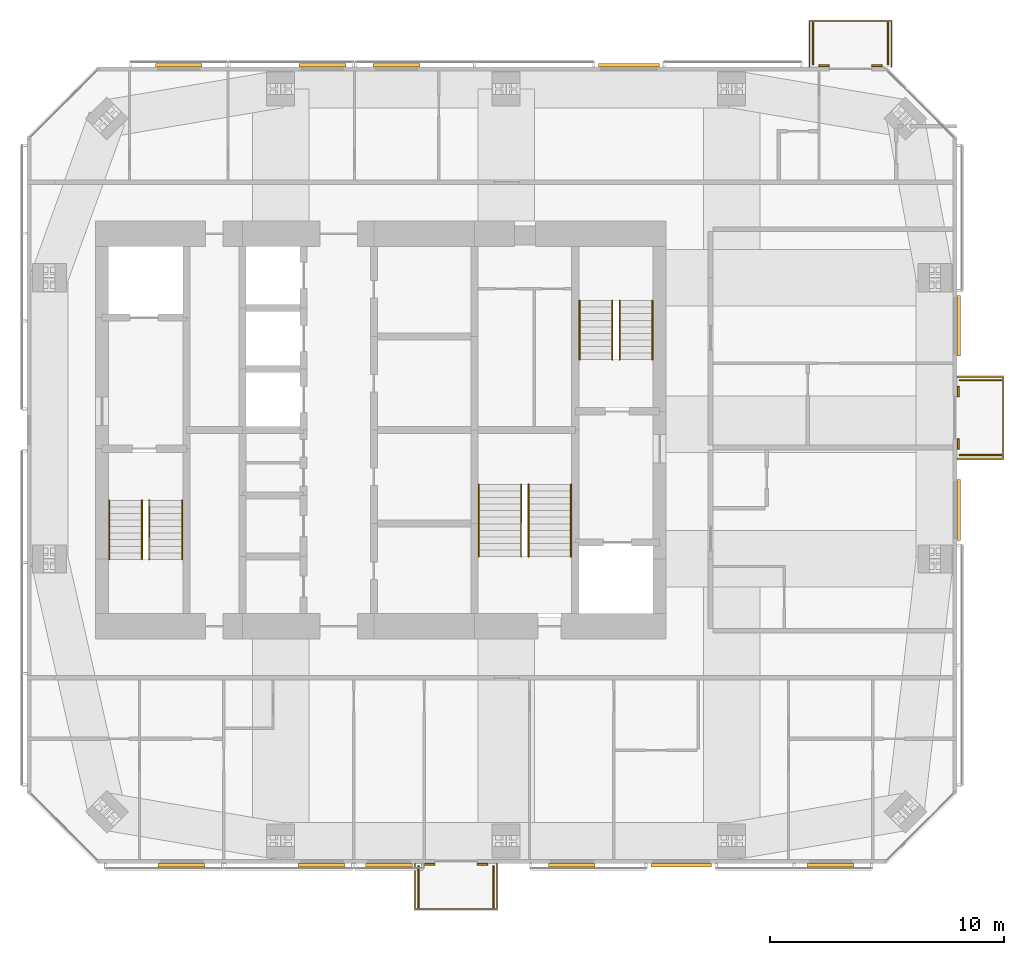
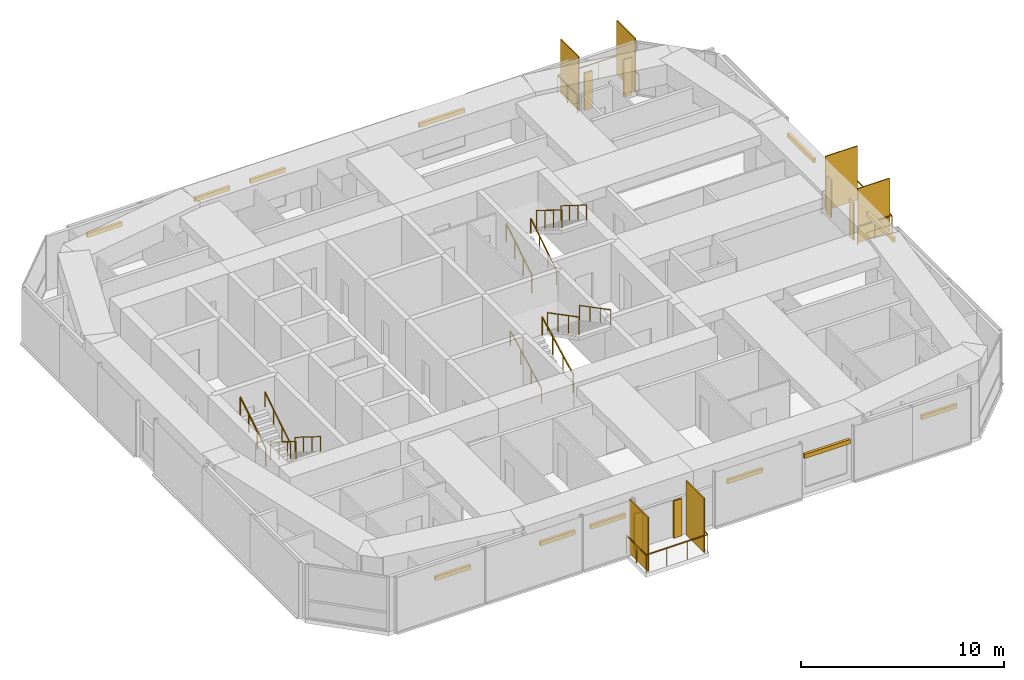
# One storey, part 18 of 18: 24 shading devices, 15 railings.
"""IFC4 building model written with IfcOpenShell, lengths in metres."""

from ifc_helpers import new_model, si_unit, direction, frame, origin, origin_2d, place, context, subcontext, project, spatial, rectangle, circle, extrude, material, layer, layer_set, constituent, constituent_set, type_object, element, save


model = new_model("IFC4")

# Units and contexts
model_context = context("Model", 3, precision=1e-05, world=origin(), true_north=direction((0.0, 1.0)))
body_context = subcontext(model_context, "Body", "Model", "MODEL_VIEW")
ifc_project = project(units=[si_unit("LENGTHUNIT", "METRE"), si_unit("AREAUNIT", "SQUARE_METRE"), si_unit("VOLUMEUNIT", "CUBIC_METRE"), si_unit("PLANEANGLEUNIT", "RADIAN"), si_unit("MASSUNIT", "GRAM", prefix="KILO")], contexts=[model_context])

# Site, building, storey
site_placement = place(None, origin())
site = spatial("IfcSite", under=ifc_project, at=site_placement, CompositionType="ELEMENT")
building_placement = place(site_placement, origin())
building = spatial("IfcBuilding", under=site, at=building_placement, Name="Jalousie Tower", CompositionType="ELEMENT")
storey_placement = place(building_placement, frame((0.0, 0.0, 249.449951171875)))
storey = spatial("IfcBuildingStorey", under=building, at=storey_placement, Name="L68", CompositionType="ELEMENT", Elevation=249.449951171875)

# Shading devices
ifc_material_1 = material(Name="Aluminium impact-rated louvred storm shutter", Category="aluminium")
shading_device_type_1 = type_object("IfcShadingDeviceType", Name="BI-FOLD STORM SHUTTER 900x2250", PredefinedType="SHUTTER", material=ifc_material_1)
for number, where, z_axis, x_axis, name in (
    (1, (33.985107421875, -0.0400390625, 0.0), (0.0, 0.0, 1.0), (1.0, 0.0, 0.0), "Balcony storm shutter L68"),
    (2, (36.235107421875, -0.0400390625, 0.0), (0.0, 0.0, 1.0), (1.0, 0.0, 0.0), "Balcony storm shutter L68"),
    (3, (56.5400390625, 17.89990234375, 0.0), (0.0, 0.0, 1.0), (0.0, 1.0, 0.0), "Balcony storm shutter L68"),
    (4, (56.5400390625, 20.14990234375, 0.0), (0.0, 0.0, 1.0), (0.0, 1.0, 0.0), "Balcony storm shutter L68"),
    (5, (53.07373046875, 34.0400390625, 0.0), (0.0, 0.0, 1.0), (-1.0, 0.0, 0.0), "Balcony storm shutter L68"),
    (6, (50.82373046875, 34.0400390625, 0.0), (0.0, 0.0, 1.0), (-1.0, 0.0, 0.0), "Balcony storm shutter L68"),
):
    element("IfcShadingDevice", number, at=place(storey_placement, frame(where, z_axis=z_axis, x_axis=x_axis)), inside=storey, type_object=shading_device_type_1, Name=name, PredefinedType="SHUTTER", context=body_context, shape_type="SweptSolid", body=[
        extrude(rectangle(XDim=0.449951171875, YDim=0.080078125, at=origin_2d()), origin(), (0.0, 0.0, 1.0), 2.25),
    ])

# Railings
ifc_material_2 = material(Name="Powder-coated aluminium fretwork", Category="aluminium")
railing_type_1 = type_object("IfcRailingType", Name="FRETWORK BALUSTRADE 1100", PredefinedType="BALUSTRADE", material=ifc_material_2)
railing_1_placement = place(storey_placement, frame((33.360107421875, 0.0, 0.0)))
element("IfcRailing", 7, at=railing_1_placement, inside=storey, type_object=railing_type_1, Name="Balcony fretwork balustrade L68", PredefinedType="BALUSTRADE", context=body_context, shape_type="SweptSolid", body=[
    extrude(rectangle(XDim=0.048095703125, YDim=0.048095703125, at=origin_2d()), frame((0.0, 0.0, 1.076171875), z_axis=(0.0, -1.0, 0.0), x_axis=(1.0, 0.0, 0.0)), (0.0, 0.0, 1.0), 1.949951171875),
    extrude(rectangle(XDim=0.048095703125, YDim=0.048095703125, at=origin_2d()), frame((0.0, -1.949951171875, 1.076171875), z_axis=(1.0, 0.0, 0.0), x_axis=(0.0, 1.0, 0.0)), (0.0, 0.0, 1.0), 3.5),
    extrude(rectangle(XDim=0.048095703125, YDim=0.048095703125, at=origin_2d()), frame((3.5, -1.949951171875, 1.076171875), z_axis=(0.0, 1.0, 0.0), x_axis=(-1.0, 0.0, 0.0)), (0.0, 0.0, 1.0), 1.949951171875),
    extrude(circle(Radius=0.02099609375, at=origin_2d()), origin(), (0.0, 0.0, 1.0), 1.052001953125),
    extrude(circle(Radius=0.02099609375, at=origin_2d()), frame((0.0, -0.97509765625, 0.0)), (0.0, 0.0, 1.0), 1.052001953125),
    extrude(circle(Radius=0.02099609375, at=origin_2d()), frame((0.0, -1.949951171875, 0.0)), (0.0, 0.0, 1.0), 1.052001953125),
    extrude(circle(Radius=0.02099609375, at=origin_2d()), frame((1.166748046875, -1.949951171875, 0.0)), (0.0, 0.0, 1.0), 1.052001953125),
    extrude(circle(Radius=0.02099609375, at=origin_2d()), frame((2.333251953125, -1.949951171875, 0.0)), (0.0, 0.0, 1.0), 1.052001953125),
    extrude(circle(Radius=0.02099609375, at=origin_2d()), frame((3.5, -1.949951171875, 0.0)), (0.0, 0.0, 1.0), 1.052001953125),
    extrude(circle(Radius=0.02099609375, at=origin_2d()), frame((3.5, -0.97509765625, 0.0)), (0.0, 0.0, 1.0), 1.052001953125),
    extrude(circle(Radius=0.02099609375, at=origin_2d()), frame((3.5, 0.0, 0.0)), (0.0, 0.0, 1.0), 1.052001953125),
])
railing_2_placement = place(storey_placement, frame((56.5, 17.27490234375, 0.0)))
element("IfcRailing", 8, at=railing_2_placement, inside=storey, type_object=railing_type_1, Name="Balcony fretwork balustrade L68", PredefinedType="BALUSTRADE", context=body_context, shape_type="SweptSolid", body=[
    extrude(rectangle(XDim=0.048095703125, YDim=0.048095703125, at=origin_2d()), frame((0.0, 0.0, 1.076171875), z_axis=(1.0, 0.0, 0.0), x_axis=(0.0, 1.0, 0.0)), (0.0, 0.0, 1.0), 1.949951171875),
    extrude(rectangle(XDim=0.048095703125, YDim=0.048095703125, at=origin_2d()), frame((1.949951171875, 0.0, 1.076171875), z_axis=(0.0, 1.0, 0.0), x_axis=(-1.0, 0.0, 0.0)), (0.0, 0.0, 1.0), 3.5),
    extrude(rectangle(XDim=0.048095703125, YDim=0.048095703125, at=origin_2d()), frame((1.949951171875, 3.5, 1.076171875), z_axis=(-1.0, 0.0, 0.0), x_axis=(0.0, -1.0, 0.0)), (0.0, 0.0, 1.0), 1.949951171875),
    extrude(circle(Radius=0.02099609375, at=origin_2d()), origin(), (0.0, 0.0, 1.0), 1.052001953125),
    extrude(circle(Radius=0.02099609375, at=origin_2d()), frame((0.97509765625, 0.0, 0.0)), (0.0, 0.0, 1.0), 1.052001953125),
    extrude(circle(Radius=0.02099609375, at=origin_2d()), frame((1.949951171875, 0.0, 0.0)), (0.0, 0.0, 1.0), 1.052001953125),
    extrude(circle(Radius=0.02099609375, at=origin_2d()), frame((1.949951171875, 1.166748046875, 0.0)), (0.0, 0.0, 1.0), 1.052001953125),
    extrude(circle(Radius=0.02099609375, at=origin_2d()), frame((1.949951171875, 2.333251953125, 0.0)), (0.0, 0.0, 1.0), 1.052001953125),
    extrude(circle(Radius=0.02099609375, at=origin_2d()), frame((1.949951171875, 3.5, 0.0)), (0.0, 0.0, 1.0), 1.052001953125),
    extrude(circle(Radius=0.02099609375, at=origin_2d()), frame((0.97509765625, 3.5, 0.0)), (0.0, 0.0, 1.0), 1.052001953125),
    extrude(circle(Radius=0.02099609375, at=origin_2d()), frame((0.0, 3.5, 0.0)), (0.0, 0.0, 1.0), 1.052001953125),
])
railing_3_placement = place(storey_placement, frame((53.69873046875, 34.0, 0.0)))
element("IfcRailing", 9, at=railing_3_placement, inside=storey, type_object=railing_type_1, Name="Balcony fretwork balustrade L68", PredefinedType="BALUSTRADE", context=body_context, shape_type="SweptSolid", body=[
    extrude(rectangle(XDim=0.048095703125, YDim=0.048095703125, at=origin_2d()), frame((0.0, 0.0, 1.076171875), z_axis=(0.0, 1.0, 0.0), x_axis=(-1.0, 0.0, 0.0)), (0.0, 0.0, 1.0), 1.949951171875),
    extrude(rectangle(XDim=0.048095703125, YDim=0.048095703125, at=origin_2d()), frame((0.0, 1.949951171875, 1.076171875), z_axis=(-1.0, 0.0, 0.0), x_axis=(0.0, -1.0, 0.0)), (0.0, 0.0, 1.0), 3.5),
    extrude(rectangle(XDim=0.048095703125, YDim=0.048095703125, at=origin_2d()), frame((-3.5, 1.949951171875, 1.076171875), z_axis=(0.0, -1.0, 0.0), x_axis=(1.0, 0.0, 0.0)), (0.0, 0.0, 1.0), 1.949951171875),
    extrude(circle(Radius=0.02099609375, at=origin_2d()), origin(), (0.0, 0.0, 1.0), 1.052001953125),
    extrude(circle(Radius=0.02099609375, at=origin_2d()), frame((0.0, 0.97509765625, 0.0)), (0.0, 0.0, 1.0), 1.052001953125),
    extrude(circle(Radius=0.02099609375, at=origin_2d()), frame((0.0, 1.949951171875, 0.0)), (0.0, 0.0, 1.0), 1.052001953125),
    extrude(circle(Radius=0.02099609375, at=origin_2d()), frame((-1.166748046875, 1.949951171875, 0.0)), (0.0, 0.0, 1.0), 1.052001953125),
    extrude(circle(Radius=0.02099609375, at=origin_2d()), frame((-2.333251953125, 1.949951171875, 0.0)), (0.0, 0.0, 1.0), 1.052001953125),
    extrude(circle(Radius=0.02099609375, at=origin_2d()), frame((-3.5, 1.949951171875, 0.0)), (0.0, 0.0, 1.0), 1.052001953125),
    extrude(circle(Radius=0.02099609375, at=origin_2d()), frame((-3.5, 0.97509765625, 0.0)), (0.0, 0.0, 1.0), 1.052001953125),
    extrude(circle(Radius=0.02099609375, at=origin_2d()), frame((-3.5, 0.0, 0.0)), (0.0, 0.0, 1.0), 1.052001953125),
])

# Shading devices
ifc_material_3 = material(Name="Powder-coated aluminium louvres", Category="aluminium")
ifc_layer = layer(ifc_material_3, 0.06005859375)
ifc_layer_set = layer_set([ifc_layer], Name="Powder-coated aluminium louvres")
shading_device_type_2 = type_object("IfcShadingDeviceType", Name="JALOUSIE LOUVRE SCREEN", PredefinedType="JALOUSIE", material=ifc_layer_set)
for number, where, z_axis, x_axis, name in (
    (10, (33.510009765625, -1.0, 0.0), (0.0, 0.0, 1.0), (1.0, 0.0, 0.0), "Jalousie louvre screen L68"),
    (11, (36.7099609375, -1.0, 0.0), (0.0, 0.0, 1.0), (1.0, 0.0, 0.0), "Jalousie louvre screen L68"),
    (12, (57.5, 17.425048828125, 0.0), (0.0, 0.0, 1.0), (0.0, 1.0, 0.0), "Jalousie louvre screen L68"),
    (13, (57.5, 20.625, 0.0), (0.0, 0.0, 1.0), (0.0, 1.0, 0.0), "Jalousie louvre screen L68"),
    (14, (53.548583984375, 35.0, 0.0), (0.0, 0.0, 1.0), (-1.0, 0.0, 0.0), "Jalousie louvre screen L68"),
    (15, (50.3486328125, 35.0, 0.0), (0.0, 0.0, 1.0), (-1.0, 0.0, 0.0), "Jalousie louvre screen L68"),
):
    element("IfcShadingDevice", number, at=place(storey_placement, frame(where, z_axis=z_axis, x_axis=x_axis)), inside=storey, type_object=shading_device_type_2, Name=name, PredefinedType="JALOUSIE", context=body_context, shape_type="SweptSolid", body=[
        extrude(rectangle(XDim=0.06005859375, YDim=1.800048828125, at=origin_2d()), origin(), (0.0, 0.0, 1.0), 3.260009765625),
    ])

# Railings
ifc_material_4 = material(Name="Steel ASTM A500 Grade C", Category="steel")
ifc_constituent_1 = constituent(ifc_material_4, Name="Body")
ifc_material_5 = material(Name="Hot-dip galvanised zinc coating")
ifc_constituent_2 = constituent(ifc_material_5, Name="Finish")
ifc_constituent_set_1 = constituent_set(constituents=[ifc_constituent_1, ifc_constituent_2])
railing_type_2 = type_object("IfcRailingType", Name="STAIR GUARD 1100", PredefinedType="GUARDRAIL", material=ifc_constituent_set_1)
railing_4_placement = place(storey_placement, frame((22.017578125, 15.49755859375, 0.175048828125)))
element("IfcRailing", 16, at=railing_4_placement, inside=storey, type_object=railing_type_2, Name="Exit stair A guard L68 flight 1", PredefinedType="GUARDRAIL", context=body_context, shape_type="SweptSolid", body=[
    extrude(rectangle(XDim=0.048095703125, YDim=0.048095703125, at=origin_2d()), frame((0.0, 0.0, 1.076171875), z_axis=(0.0, -0.848007534815, 0.529984170421), x_axis=(1.0, 0.0, 0.0)), (0.0, 0.0, 1.0), 2.9716796875),
    extrude(circle(Radius=0.02099609375, at=origin_2d()), origin(), (0.0, 0.0, 1.0), 1.052001953125),
    extrude(circle(Radius=0.02099609375, at=origin_2d()), frame((0.0, -0.840087890625, 0.52490234375)), (0.0, 0.0, 1.0), 1.052001953125),
    extrude(circle(Radius=0.02099609375, at=origin_2d()), frame((0.0, -1.679931640625, 1.050048828125)), (0.0, 0.0, 1.0), 1.052001953125),
    extrude(circle(Radius=0.02099609375, at=origin_2d()), frame((0.0, -2.52001953125, 1.574951171875)), (0.0, 0.0, 1.0), 1.052001953125),
])
for number, where, name in (
    (17, (20.304931640625, 12.9775390625, 1.925048828125), "Exit stair A guard L68 flight 2"),
    (18, (40.3798828125, 21.50244140625, 0.175048828125), "Exit stair B guard L68 flight 1"),
):
    element("IfcRailing", number, at=place(storey_placement, frame(where)), inside=storey, type_object=railing_type_2, Name=name, PredefinedType="GUARDRAIL", context=body_context, shape_type="SweptSolid", body=[
        extrude(rectangle(XDim=0.048095703125, YDim=0.048095703125, at=origin_2d()), frame((0.0, 0.0, 1.076171875), z_axis=(0.0, 0.848007534815, 0.529984170421), x_axis=(-1.0, 0.0, 0.0)), (0.0, 0.0, 1.0), 2.9716796875),
        extrude(circle(Radius=0.02099609375, at=origin_2d()), origin(), (0.0, 0.0, 1.0), 1.052001953125),
        extrude(circle(Radius=0.02099609375, at=origin_2d()), frame((0.0, 0.840087890625, 0.52490234375)), (0.0, 0.0, 1.0), 1.052001953125),
        extrude(circle(Radius=0.02099609375, at=origin_2d()), frame((0.0, 1.679931640625, 1.050048828125)), (0.0, 0.0, 1.0), 1.052001953125),
        extrude(circle(Radius=0.02099609375, at=origin_2d()), frame((0.0, 2.52001953125, 1.574951171875)), (0.0, 0.0, 1.0), 1.052001953125),
    ])
railing_5_placement = place(storey_placement, frame((42.092529296875, 24.0224609375, 1.925048828125)))
element("IfcRailing", 19, at=railing_5_placement, inside=storey, type_object=railing_type_2, Name="Exit stair B guard L68 flight 2", PredefinedType="GUARDRAIL", context=body_context, shape_type="SweptSolid", body=[
    extrude(rectangle(XDim=0.048095703125, YDim=0.048095703125, at=origin_2d()), frame((0.0, 0.0, 1.076171875), z_axis=(0.0, -0.848007534815, 0.529984170421), x_axis=(1.0, 0.0, 0.0)), (0.0, 0.0, 1.0), 2.9716796875),
    extrude(circle(Radius=0.02099609375, at=origin_2d()), origin(), (0.0, 0.0, 1.0), 1.052001953125),
    extrude(circle(Radius=0.02099609375, at=origin_2d()), frame((0.0, -0.840087890625, 0.52490234375)), (0.0, 0.0, 1.0), 1.052001953125),
    extrude(circle(Radius=0.02099609375, at=origin_2d()), frame((0.0, -1.679931640625, 1.050048828125)), (0.0, 0.0, 1.0), 1.052001953125),
    extrude(circle(Radius=0.02099609375, at=origin_2d()), frame((0.0, -2.52001953125, 1.574951171875)), (0.0, 0.0, 1.0), 1.052001953125),
])
railing_6_placement = place(storey_placement, frame((37.89501953125, 13.097412109375, 0.145751953125)))
element("IfcRailing", 20, at=railing_6_placement, inside=storey, type_object=railing_type_2, Name="Exit stair C guard L68 flight 1", PredefinedType="GUARDRAIL", context=body_context, shape_type="SweptSolid", body=[
    extrude(rectangle(XDim=0.048095703125, YDim=0.048095703125, at=origin_2d()), frame((0.0, 0.0, 1.076171875), z_axis=(0.0, 0.886909283822, 0.461943635383), x_axis=(-1.0, 0.0, 0.0)), (0.0, 0.0, 1.0), 3.472900390625),
    extrude(circle(Radius=0.02099609375, at=origin_2d()), origin(), (0.0, 0.0, 1.0), 1.052001953125),
    extrude(circle(Radius=0.02099609375, at=origin_2d()), frame((0.0, 1.026611328125, 0.53466796875)), (0.0, 0.0, 1.0), 1.052001953125),
    extrude(circle(Radius=0.02099609375, at=origin_2d()), frame((0.0, 2.053466796875, 1.069580078125)), (0.0, 0.0, 1.0), 1.052001953125),
    extrude(circle(Radius=0.02099609375, at=origin_2d()), frame((0.0, 3.080078125, 1.604248046875)), (0.0, 0.0, 1.0), 1.052001953125),
])
railing_7_placement = place(storey_placement, frame((38.205078125, 16.177490234375, 1.895751953125)))
element("IfcRailing", 21, at=railing_7_placement, inside=storey, type_object=railing_type_2, Name="Exit stair C guard L68 flight 2", PredefinedType="GUARDRAIL", context=body_context, shape_type="SweptSolid", body=[
    extrude(rectangle(XDim=0.048095703125, YDim=0.048095703125, at=origin_2d()), frame((0.0, 0.0, 1.076171875), z_axis=(0.0, -0.886909283822, 0.461943635383), x_axis=(1.0, 0.0, 0.0)), (0.0, 0.0, 1.0), 3.472900390625),
    extrude(circle(Radius=0.02099609375, at=origin_2d()), origin(), (0.0, 0.0, 1.0), 1.052001953125),
    extrude(circle(Radius=0.02099609375, at=origin_2d()), frame((0.0, -1.026611328125, 0.53466796875)), (0.0, 0.0, 1.0), 1.052001953125),
    extrude(circle(Radius=0.02099609375, at=origin_2d()), frame((0.0, -2.053466796875, 1.069580078125)), (0.0, 0.0, 1.0), 1.052001953125),
    extrude(circle(Radius=0.02099609375, at=origin_2d()), frame((0.0, -3.080078125, 1.604248046875)), (0.0, 0.0, 1.0), 1.052001953125),
])
ifc_material_6 = material(Name="Steel ASTM A500 Grade C", Category="steel")
ifc_constituent_3 = constituent(ifc_material_6, Name="Body")
ifc_material_7 = material(Name="Hot-dip galvanised zinc coating")
ifc_constituent_4 = constituent(ifc_material_7, Name="Finish")
ifc_constituent_set_2 = constituent_set(constituents=[ifc_constituent_3, ifc_constituent_4])
railing_type_3 = type_object("IfcRailingType", Name="STAIR HANDRAIL 900", PredefinedType="HANDRAIL", material=ifc_constituent_set_2)
railing_8_placement = place(storey_placement, frame((23.420166015625, 15.49755859375, 0.175048828125)))
element("IfcRailing", 22, at=railing_8_placement, inside=storey, type_object=railing_type_3, Name="Exit stair A handrail L68 flight 1", PredefinedType="HANDRAIL", context=body_context, shape_type="SweptSolid", body=[
    extrude(circle(Radius=0.02392578125, at=origin_2d()), frame((0.0, 0.0, 0.8759765625), z_axis=(0.0, -0.848007534815, 0.529984170421), x_axis=(1.0, 0.0, 0.0)), (0.0, 0.0, 1.0), 2.9716796875),
    extrude(circle(Radius=0.02099609375, at=origin_2d()), origin(), (0.0, 0.0, 1.0), 0.851806640625),
    extrude(circle(Radius=0.02099609375, at=origin_2d()), frame((0.0, -0.840087890625, 0.52490234375)), (0.0, 0.0, 1.0), 0.851806640625),
    extrude(circle(Radius=0.02099609375, at=origin_2d()), frame((0.0, -1.679931640625, 1.050048828125)), (0.0, 0.0, 1.0), 0.851806640625),
    extrude(circle(Radius=0.02099609375, at=origin_2d()), frame((0.0, -2.52001953125, 1.574951171875)), (0.0, 0.0, 1.0), 0.851806640625),
])
for number, where, name in (
    (23, (21.70751953125, 12.9775390625, 1.925048828125), "Exit stair A handrail L68 flight 2"),
    (24, (41.782470703125, 21.50244140625, 0.175048828125), "Exit stair B handrail L68 flight 1"),
):
    element("IfcRailing", number, at=place(storey_placement, frame(where)), inside=storey, type_object=railing_type_3, Name=name, PredefinedType="HANDRAIL", context=body_context, shape_type="SweptSolid", body=[
        extrude(circle(Radius=0.02392578125, at=origin_2d()), frame((0.0, 0.0, 0.8759765625), z_axis=(0.0, 0.848007534815, 0.529984170421), x_axis=(-1.0, 0.0, 0.0)), (0.0, 0.0, 1.0), 2.9716796875),
        extrude(circle(Radius=0.02099609375, at=origin_2d()), origin(), (0.0, 0.0, 1.0), 0.851806640625),
        extrude(circle(Radius=0.02099609375, at=origin_2d()), frame((0.0, 0.840087890625, 0.52490234375)), (0.0, 0.0, 1.0), 0.851806640625),
        extrude(circle(Radius=0.02099609375, at=origin_2d()), frame((0.0, 1.679931640625, 1.050048828125)), (0.0, 0.0, 1.0), 0.851806640625),
        extrude(circle(Radius=0.02099609375, at=origin_2d()), frame((0.0, 2.52001953125, 1.574951171875)), (0.0, 0.0, 1.0), 0.851806640625),
    ])
railing_9_placement = place(storey_placement, frame((43.4951171875, 24.0224609375, 1.925048828125)))
element("IfcRailing", 25, at=railing_9_placement, inside=storey, type_object=railing_type_3, Name="Exit stair B handrail L68 flight 2", PredefinedType="HANDRAIL", context=body_context, shape_type="SweptSolid", body=[
    extrude(circle(Radius=0.02392578125, at=origin_2d()), frame((0.0, 0.0, 0.8759765625), z_axis=(0.0, -0.848007534815, 0.529984170421), x_axis=(1.0, 0.0, 0.0)), (0.0, 0.0, 1.0), 2.9716796875),
    extrude(circle(Radius=0.02099609375, at=origin_2d()), origin(), (0.0, 0.0, 1.0), 0.851806640625),
    extrude(circle(Radius=0.02099609375, at=origin_2d()), frame((0.0, -0.840087890625, 0.52490234375)), (0.0, 0.0, 1.0), 0.851806640625),
    extrude(circle(Radius=0.02099609375, at=origin_2d()), frame((0.0, -1.679931640625, 1.050048828125)), (0.0, 0.0, 1.0), 0.851806640625),
    extrude(circle(Radius=0.02099609375, at=origin_2d()), frame((0.0, -2.52001953125, 1.574951171875)), (0.0, 0.0, 1.0), 0.851806640625),
])
railing_10_placement = place(storey_placement, frame((36.080078125, 13.097412109375, 0.145751953125)))
element("IfcRailing", 26, at=railing_10_placement, inside=storey, type_object=railing_type_3, Name="Exit stair C handrail L68 flight 1", PredefinedType="HANDRAIL", context=body_context, shape_type="SweptSolid", body=[
    extrude(circle(Radius=0.02392578125, at=origin_2d()), frame((0.0, 0.0, 0.8759765625), z_axis=(0.0, 0.886909283822, 0.461943635383), x_axis=(-1.0, 0.0, 0.0)), (0.0, 0.0, 1.0), 3.472900390625),
    extrude(circle(Radius=0.02099609375, at=origin_2d()), origin(), (0.0, 0.0, 1.0), 0.851806640625),
    extrude(circle(Radius=0.02099609375, at=origin_2d()), frame((0.0, 1.026611328125, 0.53466796875)), (0.0, 0.0, 1.0), 0.851806640625),
    extrude(circle(Radius=0.02099609375, at=origin_2d()), frame((0.0, 2.053466796875, 1.069580078125)), (0.0, 0.0, 1.0), 0.851806640625),
    extrude(circle(Radius=0.02099609375, at=origin_2d()), frame((0.0, 3.080078125, 1.604248046875)), (0.0, 0.0, 1.0), 0.851806640625),
])
railing_11_placement = place(storey_placement, frame((40.02001953125, 16.177490234375, 1.895751953125)))
element("IfcRailing", 27, at=railing_11_placement, inside=storey, type_object=railing_type_3, Name="Exit stair C handrail L68 flight 2", PredefinedType="HANDRAIL", context=body_context, shape_type="SweptSolid", body=[
    extrude(circle(Radius=0.02392578125, at=origin_2d()), frame((0.0, 0.0, 0.8759765625), z_axis=(0.0, -0.886909283822, 0.461943635383), x_axis=(1.0, 0.0, 0.0)), (0.0, 0.0, 1.0), 3.472900390625),
    extrude(circle(Radius=0.02099609375, at=origin_2d()), origin(), (0.0, 0.0, 1.0), 0.851806640625),
    extrude(circle(Radius=0.02099609375, at=origin_2d()), frame((0.0, -1.026611328125, 0.53466796875)), (0.0, 0.0, 1.0), 0.851806640625),
    extrude(circle(Radius=0.02099609375, at=origin_2d()), frame((0.0, -2.053466796875, 1.069580078125)), (0.0, 0.0, 1.0), 0.851806640625),
    extrude(circle(Radius=0.02099609375, at=origin_2d()), frame((0.0, -3.080078125, 1.604248046875)), (0.0, 0.0, 1.0), 0.851806640625),
])

# Shading devices
ifc_material_8 = material(Name="Aluminium roller storm shutter", Category="aluminium")
shading_device_type_3 = type_object("IfcShadingDeviceType", Name="STORM SHUTTER HOUSING", PredefinedType="SHUTTER", material=ifc_material_8)
for number, where, z_axis, x_axis, name in (
    (28, (23.39990234375, -0.074951171875, 2.25), (0.0, 0.0, 1.0), (1.0, 0.0, 0.0), "Storm shutter L68"),
    (29, (29.376220703125, -0.074951171875, 2.25), (0.0, 0.0, 1.0), (1.0, 0.0, 0.0), "Storm shutter L68"),
    (30, (32.25, -0.074951171875, 2.25), (0.0, 0.0, 1.0), (1.0, 0.0, 0.0), "Storm shutter L68"),
    (31, (40.050048828125, -0.074951171875, 2.25), (0.0, 0.0, 1.0), (1.0, 0.0, 0.0), "Storm shutter L68"),
):
    element("IfcShadingDevice", number, at=place(storey_placement, frame(where, z_axis=z_axis, x_axis=x_axis)), inside=storey, type_object=shading_device_type_3, Name=name, PredefinedType="SHUTTER", context=body_context, shape_type="SweptSolid", body=[
        extrude(rectangle(XDim=2.0, YDim=0.14990234375, at=origin_2d()), origin(), (0.0, 0.0, 1.0), 0.25),
    ])
shading_device_1_placement = place(storey_placement, frame((44.72509765625, -0.074951171875, 2.25), z_axis=(0.0, 0.0, 1.0), x_axis=(1.0, 0.0, 0.0)))
element("IfcShadingDevice", 32, at=shading_device_1_placement, inside=storey, type_object=shading_device_type_3, Name="Storm shutter L68", PredefinedType="SHUTTER", context=body_context, shape_type="SweptSolid", body=[
    extrude(rectangle(XDim=2.60009765625, YDim=0.14990234375, at=origin_2d()), origin(), (0.0, 0.0, 1.0), 0.25),
])
shading_device_2_placement = place(storey_placement, frame((51.10009765625, -0.074951171875, 2.25), z_axis=(0.0, 0.0, 1.0), x_axis=(1.0, 0.0, 0.0)))
element("IfcShadingDevice", 33, at=shading_device_2_placement, inside=storey, type_object=shading_device_type_3, Name="Storm shutter L68", PredefinedType="SHUTTER", context=body_context, shape_type="SweptSolid", body=[
    extrude(rectangle(XDim=2.0, YDim=0.14990234375, at=origin_2d()), origin(), (0.0, 0.0, 1.0), 0.25),
])
for number, where, z_axis, x_axis, name in (
    (34, (56.574951171875, 15.081787109375, 2.25), (0.0, 0.0, 1.0), (0.0, 1.0, 0.0), "Storm shutter L68"),
    (35, (56.574951171875, 22.949951171875, 2.25), (0.0, 0.0, 1.0), (0.0, 1.0, 0.0), "Storm shutter L68"),
    (36, (42.48876953125, 34.074951171875, 2.25), (0.0, 0.0, 1.0), (-1.0, 0.0, 0.0), "Storm shutter L68"),
):
    element("IfcShadingDevice", number, at=place(storey_placement, frame(where, z_axis=z_axis, x_axis=x_axis)), inside=storey, type_object=shading_device_type_3, Name=name, PredefinedType="SHUTTER", context=body_context, shape_type="SweptSolid", body=[
        extrude(rectangle(XDim=2.60009765625, YDim=0.14990234375, at=origin_2d()), origin(), (0.0, 0.0, 1.0), 0.25),
    ])
for number, where, z_axis, x_axis, name in (
    (37, (32.574951171875, 34.074951171875, 2.25), (0.0, 0.0, 1.0), (-1.0, 0.0, 0.0), "Storm shutter L68"),
    (38, (29.405029296875, 34.074951171875, 2.25), (0.0, 0.0, 1.0), (-1.0, 0.0, 0.0), "Storm shutter L68"),
    (39, (23.275634765625, 34.074951171875, 2.25), (0.0, 0.0, 1.0), (-1.0, 0.0, 0.0), "Storm shutter L68"),
):
    element("IfcShadingDevice", number, at=place(storey_placement, frame(where, z_axis=z_axis, x_axis=x_axis)), inside=storey, type_object=shading_device_type_3, Name=name, PredefinedType="SHUTTER", context=body_context, shape_type="SweptSolid", body=[
        extrude(rectangle(XDim=2.0, YDim=0.14990234375, at=origin_2d()), origin(), (0.0, 0.0, 1.0), 0.25),
    ])

save(model, "model.ifc")
